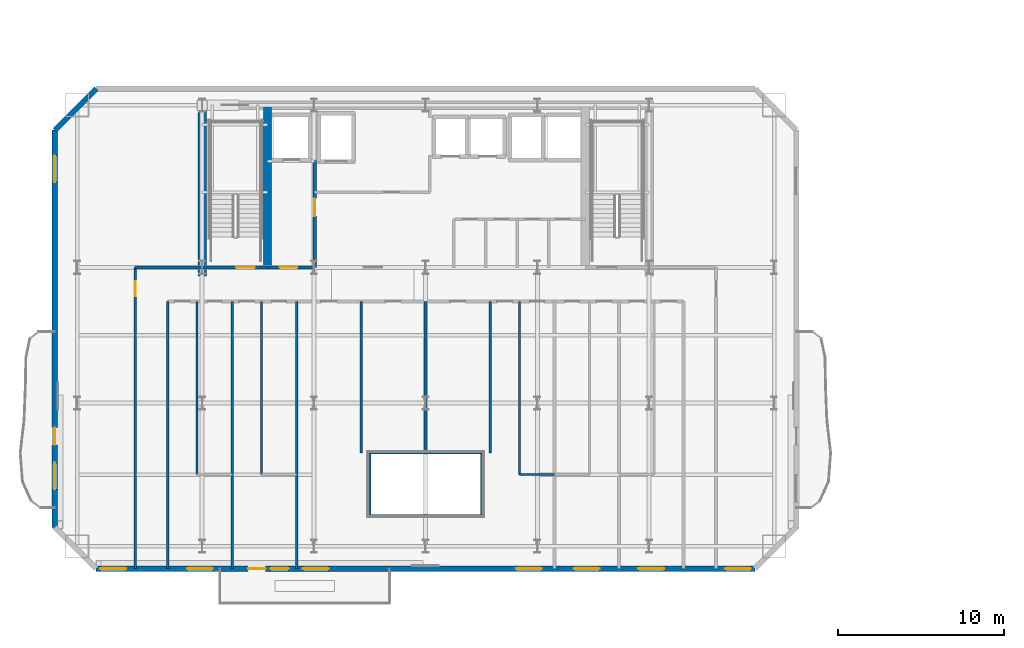
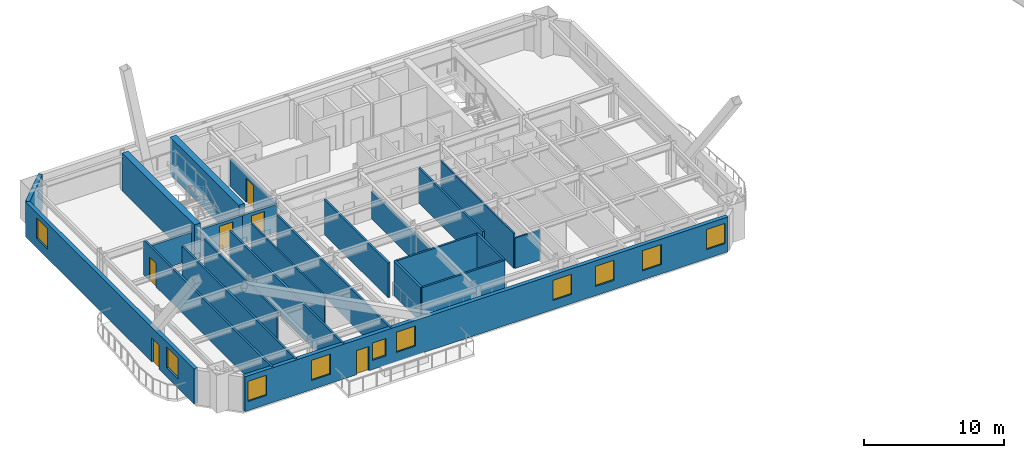
# One storey, part 5 of 14: 24 walls, 10 windows, 6 doors, 16 openings.
"""IFC4 building model written with IfcOpenShell, lengths in metres."""

from ifc_helpers import new_model, si_unit, direction, frame, frame_2d, origin, place, context, subcontext, project, spatial, rectangle, extrude, material, layer, layer_set, type_object, element, fill, save


model = new_model("IFC4")

# Units and contexts
model_context = context("Model", 3, precision=1e-05, world=origin(), true_north=direction((0.0, 1.0)))
body_context = subcontext(model_context, "Body", "Model", "MODEL_VIEW")
ifc_project = project(units=[si_unit("LENGTHUNIT", "METRE"), si_unit("AREAUNIT", "SQUARE_METRE"), si_unit("VOLUMEUNIT", "CUBIC_METRE"), si_unit("PLANEANGLEUNIT", "RADIAN"), si_unit("MASSUNIT", "GRAM", prefix="KILO")], contexts=[model_context])

# Site, building, storey
site_placement = place(None, origin())
site = spatial("IfcSite", under=ifc_project, at=site_placement, CompositionType="ELEMENT")
building_placement = place(site_placement, origin())
building = spatial("IfcBuilding", under=site, at=building_placement, Name="Haevon Station Towers", CompositionType="ELEMENT")
storey_placement = place(building_placement, frame((0.0, 0.0, 123.0)))
storey = spatial("IfcBuildingStorey", under=building, at=storey_placement, Name="L33", CompositionType="ELEMENT", Elevation=123.0)

# Walls
ifc_material_1 = material(Name="Gypsum board on steel stud", Category="steel")
ifc_layer_1 = layer(ifc_material_1, 0.179931640625)
ifc_layer_set_1 = layer_set([ifc_layer_1], Name="Gypsum board on steel stud")
wall_type_1 = type_object("IfcWallType", Name="WL-ACU180", PredefinedType="PARTITIONING", material=ifc_layer_set_1)
wall_1_placement = place(storey_placement, frame((19.949951171875, 38.199951171875, 0.0), z_axis=(0.0, 0.0, 1.0), x_axis=(1.0, 0.0, 0.0)))
element("IfcWall", 1, at=wall_1_placement, inside=storey, type_object=wall_type_1, Name="WL-T1PT-L33-03", PredefinedType="PARTITIONING", context=body_context, shape_type="SweptSolid", body=[
    extrude(rectangle(XDim=4.050048828125, YDim=0.179931640625, at=frame_2d((2.02490234375, 0.0))), origin(), (0.0, 0.0, 1.0), 2.3798828125),
])
wall_2_placement = place(storey_placement, frame((34.10009765625, 23.199951171875, 0.0), z_axis=(0.0, 0.0, 1.0), x_axis=(0.0, 1.0, 0.0)))
element("IfcWall", 2, at=wall_2_placement, inside=storey, type_object=wall_type_1, Name="WL-T1PT-L33-09", PredefinedType="PARTITIONING", context=body_context, shape_type="SweptSolid", body=[
    extrude(rectangle(XDim=3.800048828125, YDim=0.179931640625, at=frame_2d((1.89990234375, 0.0))), origin(), (0.0, 0.0, 1.0), 3.030029296875),
])
wall_3_placement = place(storey_placement, frame((37.5, 27.0, 0.0), z_axis=(0.0, 0.0, 1.0), x_axis=(0.0, 1.0, 0.0)))
element("IfcWall", 3, at=wall_3_placement, inside=storey, type_object=wall_type_1, Name="WL-T1PT-L33-18", PredefinedType="PARTITIONING", context=body_context, shape_type="SweptSolid", body=[
    extrude(rectangle(XDim=9.14990234375, YDim=0.179931640625, at=frame_2d((4.574951171875, 0.0))), origin(), (0.0, 0.0, 1.0), 2.3798828125),
])

# Wall, opening, door
ifc_layer_2 = layer(ifc_material_1, 0.199951171875)
ifc_layer_set_2 = layer_set([ifc_layer_2], Name="Gypsum board on steel stud")
wall_type_2 = type_object("IfcWallType", Name="WL-COR200", PredefinedType="PARTITIONING", material=ifc_layer_set_2)
wall_4_placement = place(storey_placement, frame((24.0, 38.199951171875, 0.0), z_axis=(0.0, 0.0, 1.0), x_axis=(1.0, 0.0, 0.0)))
wall_4 = element("IfcWall", 4, at=wall_4_placement, inside=storey, type_object=wall_type_2, Name="WL-ST-ST1-L33", PredefinedType="PARTITIONING", context=body_context, shape_type="SweptSolid", body=[
    extrude(rectangle(XDim=3.949951171875, YDim=0.199951171875, at=frame_2d((1.97509765625, 0.0))), origin(), (0.0, 0.0, 1.0), 2.3798828125),
])
opening_1_placement = place(wall_4_placement, frame((2.050048828125, 0.0, 0.0)))
opening_1 = element("IfcOpeningElement", 5, at=opening_1_placement, cuts=wall_4, Name="Opening DR-ST-ST1-L33", PredefinedType="OPENING", context=body_context, shape_type="SweptSolid", body=[
    extrude(rectangle(XDim=1.1201171875, YDim=2.10009765625, at=frame_2d((0.56005859375, 1.050048828125))), frame((0.0, 0.10986328125, 0.0), z_axis=(0.0, -1.0, 0.0), x_axis=(1.0, 0.0, 0.0)), (0.0, 0.0, 1.0), 0.219970703125),
])
ifc_material_2 = material(Name="Engineered oak timber", Category="wood")
door_type_1 = type_object("IfcDoorType", Name="DR-ST-1120", OperationType="NOTDEFINED", PredefinedType="DOOR", material=ifc_material_2)
door_1_placement = place(opening_1_placement, origin())
door_1 = element("IfcDoor", 6, at=door_1_placement, inside=storey, type_object=door_type_1, Name="L33 Escape Stair ST1 Fire Door", OperationType="SINGLE_SWING_LEFT", OverallHeight=2.10009765625, OverallWidth=1.1201171875, PredefinedType="DOOR", context=body_context, shape_type="SweptSolid", body=[
    extrude(rectangle(XDim=1.1201171875, YDim=2.10009765625, at=frame_2d((0.56005859375, 1.050048828125))), frame((0.0, 0.02490234375, 0.0), z_axis=(0.0, -1.0, 0.0), x_axis=(1.0, 0.0, 0.0)), (0.0, 0.0, 1.0), 0.050048828125),
])
fill(opening_1, door_1)

wall_5_placement = place(storey_placement, frame((30.800048828125, 38.199951171875, 0.0), z_axis=(0.0, 0.0, 1.0), x_axis=(0.0, 1.0, 0.0)))
wall_5 = element("IfcWall", 7, at=wall_5_placement, inside=storey, type_object=wall_type_2, Name="WL-T1FFL-L33-E", PredefinedType="PARTITIONING", context=body_context, shape_type="SweptSolid", body=[
    extrude(rectangle(XDim=6.449951171875, YDim=0.199951171875, at=frame_2d((3.22509765625, 0.0))), origin(), (0.0, 0.0, 1.0), 2.3798828125),
])
opening_2_placement = place(wall_5_placement, frame((3.10009765625, 0.0, 0.0)))
opening_2 = element("IfcOpeningElement", 8, at=opening_2_placement, cuts=wall_5, Name="Opening DR-T1FFL-L33-E", PredefinedType="OPENING", context=body_context, shape_type="SweptSolid", body=[
    extrude(rectangle(XDim=1.050048828125, YDim=2.10009765625, at=frame_2d((0.52490234375, 1.050048828125))), frame((0.0, 0.10986328125, 0.0), z_axis=(0.0, -1.0, 0.0), x_axis=(1.0, 0.0, 0.0)), (0.0, 0.0, 1.0), 0.219970703125),
])
door_type_2 = type_object("IfcDoorType", Name="DR-FD60-1050", OperationType="NOTDEFINED", PredefinedType="DOOR", material=ifc_material_2)
door_2_placement = place(opening_2_placement, origin())
door_2 = element("IfcDoor", 9, at=door_2_placement, inside=storey, type_object=door_type_2, Name="L33 Tower 1 Firefighting Lift Lobby Door E", OperationType="SINGLE_SWING_LEFT", OverallHeight=2.10009765625, OverallWidth=1.050048828125, PredefinedType="DOOR", context=body_context, shape_type="SweptSolid", body=[
    extrude(rectangle(XDim=1.050048828125, YDim=2.10009765625, at=frame_2d((0.52490234375, 1.050048828125))), frame((0.0, 0.02490234375, 0.0), z_axis=(0.0, -1.0, 0.0), x_axis=(1.0, 0.0, 0.0)), (0.0, 0.0, 1.0), 0.050048828125),
])
fill(opening_2, door_2)

wall_6_placement = place(storey_placement, frame((27.949951171875, 38.199951171875, 0.0), z_axis=(0.0, 0.0, 1.0), x_axis=(1.0, 0.0, 0.0)))
wall_6 = element("IfcWall", 10, at=wall_6_placement, inside=storey, type_object=wall_type_2, Name="WL-T1FFL-L33-S", PredefinedType="PARTITIONING", context=body_context, shape_type="SweptSolid", body=[
    extrude(rectangle(XDim=2.85009765625, YDim=0.199951171875, at=frame_2d((1.425048828125, 0.0))), origin(), (0.0, 0.0, 1.0), 2.3798828125),
])
opening_3_placement = place(wall_6_placement, frame((0.75, 0.0, 0.0)))
opening_3 = element("IfcOpeningElement", 11, at=opening_3_placement, cuts=wall_6, Name="Opening DR-T1FFL-L33-S", PredefinedType="OPENING", context=body_context, shape_type="SweptSolid", body=[
    extrude(rectangle(XDim=1.050048828125, YDim=2.10009765625, at=frame_2d((0.52490234375, 1.050048828125))), frame((0.0, 0.10986328125, 0.0), z_axis=(0.0, -1.0, 0.0), x_axis=(1.0, 0.0, 0.0)), (0.0, 0.0, 1.0), 0.219970703125),
])
door_3_placement = place(opening_3_placement, origin())
door_3 = element("IfcDoor", 12, at=door_3_placement, inside=storey, type_object=door_type_2, Name="L33 Tower 1 Firefighting Lift Lobby Door S", OperationType="SINGLE_SWING_RIGHT", OverallHeight=2.10009765625, OverallWidth=1.050048828125, PredefinedType="DOOR", context=body_context, shape_type="SweptSolid", body=[
    extrude(rectangle(XDim=1.050048828125, YDim=2.10009765625, at=frame_2d((0.52490234375, 1.050048828125))), frame((0.0, 0.02490234375, 0.0), z_axis=(0.0, -1.0, 0.0), x_axis=(1.0, 0.0, 0.0)), (0.0, 0.0, 1.0), 0.050048828125),
])
fill(opening_3, door_3)

# Walls
ifc_material_3 = material(Name="Concrete C60/75", Category="concrete")
ifc_layer_3 = layer(ifc_material_3, 0.5)
ifc_layer_set_3 = layer_set([ifc_layer_3], Name="Concrete C60/75")
wall_type_3 = type_object("IfcWallType", Name="WL-CR500", PredefinedType="SHEAR", material=ifc_layer_set_3)
wall_7_placement = place(storey_placement, frame((24.0, 37.679931640625, 0.0), z_axis=(0.0, 0.0, 1.0), x_axis=(0.0, 1.0, 0.0)))
element("IfcWall", 13, at=wall_7_placement, inside=storey, type_object=wall_type_3, Name="WL-T1CR-L33-W", PredefinedType="SHEAR", context=body_context, shape_type="SweptSolid", body=[
    extrude(rectangle(XDim=10.320068359375, YDim=0.5, at=frame_2d((5.16015625, 0.0))), origin(), (0.0, 0.0, 1.0), 3.300048828125),
])
wall_8_placement = place(storey_placement, frame((27.949951171875, 38.199951171875, 0.0), z_axis=(0.0, 0.0, 1.0), x_axis=(0.0, 1.0, 0.0)))
element("IfcWall", 14, at=wall_8_placement, inside=storey, type_object=wall_type_3, Name="WL-T1CR-L33-M1", PredefinedType="SHEAR", context=body_context, shape_type="SweptSolid", body=[
    extrude(rectangle(XDim=9.800048828125, YDim=0.5, at=frame_2d((4.89990234375, 0.0))), origin(), (0.0, 0.0, 1.0), 3.300048828125),
])

# Wall, openings, door, windows
ifc_material_4 = material(Name="Precast concrete C45/55", Category="concrete")
ifc_layer_4 = layer(ifc_material_4, 0.320068359375)
ifc_layer_set_4 = layer_set([ifc_layer_4], Name="Precast concrete C45/55")
wall_type_4 = type_object("IfcWallType", Name="WL-EXT-PIER320", PredefinedType="SOLIDWALL", material=ifc_layer_set_4)
wall_9_placement = place(storey_placement, frame((57.39990234375, 20.0, 0.0), z_axis=(0.0, 0.0, 1.0), x_axis=(-1.0, 0.0, 0.0)))
wall_9 = element("IfcWall", 15, at=wall_9_placement, inside=storey, type_object=wall_type_4, Name="WL-T1-L33-S", PredefinedType="SOLIDWALL", context=body_context, shape_type="SweptSolid", body=[
    extrude(rectangle(XDim=39.7998046875, YDim=0.320068359375, at=frame_2d((19.89990234375, 0.0))), origin(), (0.0, 0.0, 1.0), 3.030029296875),
])
opening_4_placement = place(wall_9_placement, frame((29.57080078125, 0.0, 0.0)))
opening_4 = element("IfcOpeningElement", 16, at=opening_4_placement, cuts=wall_9, Name="Opening DR-T1-PBAND-L33-1", PredefinedType="OPENING", context=body_context, shape_type="SweptSolid", body=[
    extrude(rectangle(XDim=1.050048828125, YDim=2.10009765625, at=frame_2d((0.52490234375, 1.050048828125))), frame((0.0, 0.169921875, 0.0), z_axis=(0.0, -1.0, 0.0), x_axis=(1.0, 0.0, 0.0)), (0.0, 0.0, 1.0), 0.340087890625),
])
opening_5_placement = place(wall_9_placement, frame((38.0, 0.0, 0.800048828125)))
opening_5 = element("IfcOpeningElement", 17, at=opening_5_placement, cuts=wall_9, Name="Opening WN-P155", PredefinedType="OPENING", context=body_context, shape_type="SweptSolid", body=[
    extrude(rectangle(XDim=1.550048828125, YDim=1.75, at=frame_2d((0.77490234375, 0.875))), frame((0.0, 0.169921875, 0.0), z_axis=(0.0, -1.0, 0.0), x_axis=(1.0, 0.0, 0.0)), (0.0, 0.0, 1.0), 0.340087890625),
])
opening_6_placement = place(wall_9_placement, frame((0.25, 0.0, 0.800048828125)))
opening_6 = element("IfcOpeningElement", 18, at=opening_6_placement, cuts=wall_9, Name="Opening WN-P155", PredefinedType="OPENING", context=body_context, shape_type="SweptSolid", body=[
    extrude(rectangle(XDim=1.550048828125, YDim=1.75, at=frame_2d((0.77490234375, 0.875))), frame((0.0, 0.169921875, 0.0), z_axis=(0.0, -1.0, 0.0), x_axis=(1.0, 0.0, 0.0)), (0.0, 0.0, 1.0), 0.340087890625),
])
opening_7_placement = place(wall_9_placement, frame((32.757568359375, 0.0, 0.800048828125)))
opening_7 = element("IfcOpeningElement", 19, at=opening_7_placement, cuts=wall_9, Name="Opening WN-P155", PredefinedType="OPENING", context=body_context, shape_type="SweptSolid", body=[
    extrude(rectangle(XDim=1.550048828125, YDim=1.75, at=frame_2d((0.77490234375, 0.875))), frame((0.0, 0.169921875, 0.0), z_axis=(0.0, -1.0, 0.0), x_axis=(1.0, 0.0, 0.0)), (0.0, 0.0, 1.0), 0.340087890625),
])
opening_8_placement = place(wall_9_placement, frame((28.171630859375, 0.0, 0.800048828125)))
opening_8 = element("IfcOpeningElement", 20, at=opening_8_placement, cuts=wall_9, Name="Opening WN-COR110", PredefinedType="OPENING", context=body_context, shape_type="SweptSolid", body=[
    extrude(rectangle(XDim=1.10009765625, YDim=1.5, at=frame_2d((0.550048828125, 0.75))), frame((0.0, 0.169921875, 0.0), z_axis=(0.0, -1.0, 0.0), x_axis=(1.0, 0.0, 0.0)), (0.0, 0.0, 1.0), 0.340087890625),
])
opening_9_placement = place(wall_9_placement, frame((25.760009765625, 0.0, 0.800048828125)))
opening_9 = element("IfcOpeningElement", 21, at=opening_9_placement, cuts=wall_9, Name="Opening WN-P155", PredefinedType="OPENING", context=body_context, shape_type="SweptSolid", body=[
    extrude(rectangle(XDim=1.550048828125, YDim=1.75, at=frame_2d((0.77490234375, 0.875))), frame((0.0, 0.169921875, 0.0), z_axis=(0.0, -1.0, 0.0), x_axis=(1.0, 0.0, 0.0)), (0.0, 0.0, 1.0), 0.340087890625),
])
opening_10_placement = place(wall_9_placement, frame((12.88623046875, 0.0, 0.800048828125)))
opening_10 = element("IfcOpeningElement", 22, at=opening_10_placement, cuts=wall_9, Name="Opening WN-P155", PredefinedType="OPENING", context=body_context, shape_type="SweptSolid", body=[
    extrude(rectangle(XDim=1.550048828125, YDim=1.75, at=frame_2d((0.77490234375, 0.875))), frame((0.0, 0.169921875, 0.0), z_axis=(0.0, -1.0, 0.0), x_axis=(1.0, 0.0, 0.0)), (0.0, 0.0, 1.0), 0.340087890625),
])
opening_11_placement = place(wall_9_placement, frame((9.387451171875, 0.0, 0.800048828125)))
opening_11 = element("IfcOpeningElement", 23, at=opening_11_placement, cuts=wall_9, Name="Opening WN-P155", PredefinedType="OPENING", context=body_context, shape_type="SweptSolid", body=[
    extrude(rectangle(XDim=1.550048828125, YDim=1.75, at=frame_2d((0.77490234375, 0.875))), frame((0.0, 0.169921875, 0.0), z_axis=(0.0, -1.0, 0.0), x_axis=(1.0, 0.0, 0.0)), (0.0, 0.0, 1.0), 0.340087890625),
])
opening_12_placement = place(wall_9_placement, frame((5.492431640625, 0.0, 0.800048828125)))
opening_12 = element("IfcOpeningElement", 24, at=opening_12_placement, cuts=wall_9, Name="Opening WN-P155", PredefinedType="OPENING", context=body_context, shape_type="SweptSolid", body=[
    extrude(rectangle(XDim=1.550048828125, YDim=1.75, at=frame_2d((0.77490234375, 0.875))), frame((0.0, 0.169921875, 0.0), z_axis=(0.0, -1.0, 0.0), x_axis=(1.0, 0.0, 0.0)), (0.0, 0.0, 1.0), 0.340087890625),
])
ifc_material_5 = material(Name="Thermally broken anodised aluminium and laminated safety glass", Category="aluminium")
door_type_3 = type_object("IfcDoorType", Name="DR-BALC-1050", OperationType="NOTDEFINED", PredefinedType="DOOR", material=ifc_material_5)
door_4_placement = place(opening_4_placement, origin())
door_4 = element("IfcDoor", 25, at=door_4_placement, inside=storey, type_object=door_type_3, Name="Tower 1 L33 Balcony Terrace Door", OperationType="SINGLE_SWING_LEFT", OverallHeight=2.10009765625, OverallWidth=1.050048828125, PredefinedType="DOOR", context=body_context, shape_type="SweptSolid", body=[
    extrude(rectangle(XDim=1.050048828125, YDim=2.10009765625, at=frame_2d((0.52490234375, 1.050048828125))), frame((0.0, 0.02490234375, 0.0), z_axis=(0.0, -1.0, 0.0), x_axis=(1.0, 0.0, 0.0)), (0.0, 0.0, 1.0), 0.050048828125),
])
fill(opening_4, door_4)
ifc_material_6 = material(Name="Low-E triple glazing in thermally broken aluminium", Category="aluminium")
window_type_1 = type_object("IfcWindowType", Name="WN-COR110", PartitioningType="SINGLE_PANEL", PredefinedType="WINDOW", material=ifc_material_6)
window_1_placement = place(opening_8_placement, origin())
window_1 = element("IfcWindow", 26, at=window_1_placement, inside=storey, type_object=window_type_1, Name="WN-T1-L33-S04", OverallHeight=1.5, OverallWidth=1.10009765625, PartitioningType="SINGLE_PANEL", PredefinedType="WINDOW", context=body_context, shape_type="SweptSolid", body=[
    extrude(rectangle(XDim=1.10009765625, YDim=1.5, at=frame_2d((0.550048828125, 0.75))), frame((0.0, 0.030029296875, 0.0), z_axis=(0.0, -1.0, 0.0), x_axis=(1.0, 0.0, 0.0)), (0.0, 0.0, 1.0), 0.06005859375),
])
fill(opening_8, window_1)
window_type_2 = type_object("IfcWindowType", Name="WN-P155", PartitioningType="SINGLE_PANEL", PredefinedType="WINDOW", material=ifc_material_6)
window_2_placement = place(opening_5_placement, origin())
window_2 = element("IfcWindow", 27, at=window_2_placement, inside=storey, type_object=window_type_2, Name="WN-T1-L33-S01", OverallHeight=1.75, OverallWidth=1.550048828125, PartitioningType="SINGLE_PANEL", PredefinedType="WINDOW", context=body_context, shape_type="SweptSolid", body=[
    extrude(rectangle(XDim=1.550048828125, YDim=1.75, at=frame_2d((0.77490234375, 0.875))), frame((0.0, 0.030029296875, 0.0), z_axis=(0.0, -1.0, 0.0), x_axis=(1.0, 0.0, 0.0)), (0.0, 0.0, 1.0), 0.06005859375),
])
fill(opening_5, window_2)
window_3_placement = place(opening_6_placement, origin())
window_3 = element("IfcWindow", 28, at=window_3_placement, inside=storey, type_object=window_type_2, Name="WN-T1-L33-S02", OverallHeight=1.75, OverallWidth=1.550048828125, PartitioningType="SINGLE_PANEL", PredefinedType="WINDOW", context=body_context, shape_type="SweptSolid", body=[
    extrude(rectangle(XDim=1.550048828125, YDim=1.75, at=frame_2d((0.77490234375, 0.875))), frame((0.0, 0.030029296875, 0.0), z_axis=(0.0, -1.0, 0.0), x_axis=(1.0, 0.0, 0.0)), (0.0, 0.0, 1.0), 0.06005859375),
])
fill(opening_6, window_3)
window_4_placement = place(opening_7_placement, origin())
window_4 = element("IfcWindow", 29, at=window_4_placement, inside=storey, type_object=window_type_2, Name="WN-T1-L33-S03", OverallHeight=1.75, OverallWidth=1.550048828125, PartitioningType="SINGLE_PANEL", PredefinedType="WINDOW", context=body_context, shape_type="SweptSolid", body=[
    extrude(rectangle(XDim=1.550048828125, YDim=1.75, at=frame_2d((0.77490234375, 0.875))), frame((0.0, 0.030029296875, 0.0), z_axis=(0.0, -1.0, 0.0), x_axis=(1.0, 0.0, 0.0)), (0.0, 0.0, 1.0), 0.06005859375),
])
fill(opening_7, window_4)
window_5_placement = place(opening_9_placement, origin())
window_5 = element("IfcWindow", 30, at=window_5_placement, inside=storey, type_object=window_type_2, Name="WN-T1-L33-S05", OverallHeight=1.75, OverallWidth=1.550048828125, PartitioningType="SINGLE_PANEL", PredefinedType="WINDOW", context=body_context, shape_type="SweptSolid", body=[
    extrude(rectangle(XDim=1.550048828125, YDim=1.75, at=frame_2d((0.77490234375, 0.875))), frame((0.0, 0.030029296875, 0.0), z_axis=(0.0, -1.0, 0.0), x_axis=(1.0, 0.0, 0.0)), (0.0, 0.0, 1.0), 0.06005859375),
])
fill(opening_9, window_5)
window_6_placement = place(opening_10_placement, origin())
window_6 = element("IfcWindow", 31, at=window_6_placement, inside=storey, type_object=window_type_2, Name="WN-T1-L33-S06", OverallHeight=1.75, OverallWidth=1.550048828125, PartitioningType="SINGLE_PANEL", PredefinedType="WINDOW", context=body_context, shape_type="SweptSolid", body=[
    extrude(rectangle(XDim=1.550048828125, YDim=1.75, at=frame_2d((0.77490234375, 0.875))), frame((0.0, 0.030029296875, 0.0), z_axis=(0.0, -1.0, 0.0), x_axis=(1.0, 0.0, 0.0)), (0.0, 0.0, 1.0), 0.06005859375),
])
fill(opening_10, window_6)
window_7_placement = place(opening_11_placement, origin())
window_7 = element("IfcWindow", 32, at=window_7_placement, inside=storey, type_object=window_type_2, Name="WN-T1-L33-S07", OverallHeight=1.75, OverallWidth=1.550048828125, PartitioningType="SINGLE_PANEL", PredefinedType="WINDOW", context=body_context, shape_type="SweptSolid", body=[
    extrude(rectangle(XDim=1.550048828125, YDim=1.75, at=frame_2d((0.77490234375, 0.875))), frame((0.0, 0.030029296875, 0.0), z_axis=(0.0, -1.0, 0.0), x_axis=(1.0, 0.0, 0.0)), (0.0, 0.0, 1.0), 0.06005859375),
])
fill(opening_11, window_7)
window_8_placement = place(opening_12_placement, origin())
window_8 = element("IfcWindow", 33, at=window_8_placement, inside=storey, type_object=window_type_2, Name="WN-T1-L33-S08", OverallHeight=1.75, OverallWidth=1.550048828125, PartitioningType="SINGLE_PANEL", PredefinedType="WINDOW", context=body_context, shape_type="SweptSolid", body=[
    extrude(rectangle(XDim=1.550048828125, YDim=1.75, at=frame_2d((0.77490234375, 0.875))), frame((0.0, 0.030029296875, 0.0), z_axis=(0.0, -1.0, 0.0), x_axis=(1.0, 0.0, 0.0)), (0.0, 0.0, 1.0), 0.06005859375),
])
fill(opening_12, window_8)

wall_10_placement = place(storey_placement, frame((15.10009765625, 22.5, 0.0), z_axis=(0.0, 0.0, 1.0), x_axis=(0.0, 1.0, 0.0)))
wall_10 = element("IfcWall", 34, at=wall_10_placement, inside=storey, type_object=wall_type_4, Name="WL-T1-L33-W", PredefinedType="SOLIDWALL", context=body_context, shape_type="SweptSolid", body=[
    extrude(rectangle(XDim=24.0, YDim=0.320068359375, at=frame_2d((12.0, 0.0))), origin(), (0.0, 0.0, 1.0), 3.030029296875),
])
opening_13_placement = place(wall_10_placement, frame((4.97509765625, 0.0, 0.0)))
opening_13 = element("IfcOpeningElement", 35, at=opening_13_placement, cuts=wall_10, Name="Opening DR-T1-SCAL-L33-W", PredefinedType="OPENING", context=body_context, shape_type="SweptSolid", body=[
    extrude(rectangle(XDim=1.050048828125, YDim=2.10009765625, at=frame_2d((0.52490234375, 1.050048828125))), frame((0.0, 0.169921875, 0.0), z_axis=(0.0, -1.0, 0.0), x_axis=(1.0, 0.0, 0.0)), (0.0, 0.0, 1.0), 0.340087890625),
])
opening_14_placement = place(wall_10_placement, frame((2.28564453125, 0.0, 0.800048828125)))
opening_14 = element("IfcOpeningElement", 36, at=opening_14_placement, cuts=wall_10, Name="Opening WN-END160", PredefinedType="OPENING", context=body_context, shape_type="SweptSolid", body=[
    extrude(rectangle(XDim=1.60009765625, YDim=1.800048828125, at=frame_2d((0.800048828125, 0.89990234375))), frame((0.0, 0.169921875, 0.0), z_axis=(0.0, -1.0, 0.0), x_axis=(1.0, 0.0, 0.0)), (0.0, 0.0, 1.0), 0.340087890625),
])
opening_15_placement = place(wall_10_placement, frame((20.857177734375, 0.0, 0.800048828125)))
opening_15 = element("IfcOpeningElement", 37, at=opening_15_placement, cuts=wall_10, Name="Opening WN-END160", PredefinedType="OPENING", context=body_context, shape_type="SweptSolid", body=[
    extrude(rectangle(XDim=1.60009765625, YDim=1.800048828125, at=frame_2d((0.800048828125, 0.89990234375))), frame((0.0, 0.169921875, 0.0), z_axis=(0.0, -1.0, 0.0), x_axis=(1.0, 0.0, 0.0)), (0.0, 0.0, 1.0), 0.340087890625),
])
door_5_placement = place(opening_13_placement, origin())
door_5 = element("IfcDoor", 38, at=door_5_placement, inside=storey, type_object=door_type_3, Name="Tower 1 L33 West Scalloped Balcony Door", OperationType="SINGLE_SWING_RIGHT", OverallHeight=2.10009765625, OverallWidth=1.050048828125, PredefinedType="DOOR", context=body_context, shape_type="SweptSolid", body=[
    extrude(rectangle(XDim=1.050048828125, YDim=2.10009765625, at=frame_2d((0.52490234375, 1.050048828125))), frame((0.0, 0.02490234375, 0.0), z_axis=(0.0, -1.0, 0.0), x_axis=(1.0, 0.0, 0.0)), (0.0, 0.0, 1.0), 0.050048828125),
])
fill(opening_13, door_5)
window_type_3 = type_object("IfcWindowType", Name="WN-END160", PartitioningType="SINGLE_PANEL", PredefinedType="WINDOW", material=ifc_material_6)
window_9_placement = place(opening_14_placement, origin())
window_9 = element("IfcWindow", 39, at=window_9_placement, inside=storey, type_object=window_type_3, Name="WN-T1-L33-W01", OverallHeight=1.800048828125, OverallWidth=1.60009765625, PartitioningType="SINGLE_PANEL", PredefinedType="WINDOW", context=body_context, shape_type="SweptSolid", body=[
    extrude(rectangle(XDim=1.60009765625, YDim=1.800048828125, at=frame_2d((0.800048828125, 0.89990234375))), frame((0.0, 0.030029296875, 0.0), z_axis=(0.0, -1.0, 0.0), x_axis=(1.0, 0.0, 0.0)), (0.0, 0.0, 1.0), 0.06005859375),
])
fill(opening_14, window_9)
window_10_placement = place(opening_15_placement, origin())
window_10 = element("IfcWindow", 40, at=window_10_placement, inside=storey, type_object=window_type_3, Name="WN-T1-L33-W02", OverallHeight=1.800048828125, OverallWidth=1.60009765625, PartitioningType="SINGLE_PANEL", PredefinedType="WINDOW", context=body_context, shape_type="SweptSolid", body=[
    extrude(rectangle(XDim=1.60009765625, YDim=1.800048828125, at=frame_2d((0.800048828125, 0.89990234375))), frame((0.0, 0.030029296875, 0.0), z_axis=(0.0, -1.0, 0.0), x_axis=(1.0, 0.0, 0.0)), (0.0, 0.0, 1.0), 0.06005859375),
])
fill(opening_15, window_10)

# Walls
wall_11_placement = place(storey_placement, frame((15.10009765625, 46.5, 0.0), z_axis=(0.0, 0.0, 1.0), x_axis=(0.707106781187, 0.707106781187, 0.0)))
element("IfcWall", 41, at=wall_11_placement, inside=storey, type_object=wall_type_4, Name="WL-T1-L33-NWC", PredefinedType="SOLIDWALL", context=body_context, shape_type="SweptSolid", body=[
    extrude(rectangle(XDim=3.53564453125, YDim=0.320068359375, at=frame_2d((1.767822265625, 0.0))), origin(), (0.0, 0.0, 1.0), 3.030029296875),
])
ifc_layer_5 = layer(ifc_material_1, 0.125)
ifc_layer_set_5 = layer_set([ifc_layer_5], Name="Gypsum board on steel stud")
wall_type_5 = type_object("IfcWallType", Name="WL-PRT125", PredefinedType="PARTITIONING", material=ifc_layer_set_5)
for number, where, z_axis, x_axis, name in (
    (42, (23.699951171875, 25.697021484375, 0.0), (0.0, 0.0, 1.0), (0.0, 1.0, 0.0), "WL-T1PT-L33-12"),
    (43, (27.594970703125, 25.697021484375, 0.0), (0.0, 0.0, 1.0), (0.0, 1.0, 0.0), "WL-T1PT-L33-15"),
):
    element("IfcWall", number, at=place(storey_placement, frame(where, z_axis=z_axis, x_axis=x_axis)), inside=storey, type_object=wall_type_5, Name=name, PredefinedType="PARTITIONING", context=body_context, shape_type="SweptSolid", body=[
        extrude(rectangle(XDim=10.452880859375, YDim=0.125, at=frame_2d((5.2265625, 0.0))), origin(), (0.0, 0.0, 1.0), 3.030029296875),
    ])
wall_12_placement = place(storey_placement, frame((43.175048828125, 25.697021484375, 0.0), z_axis=(0.0, 0.0, 1.0), x_axis=(1.0, 0.0, 0.0)))
element("IfcWall", 44, at=wall_12_placement, inside=storey, type_object=wall_type_5, Name="WL-T1PT-L33-22", PredefinedType="PARTITIONING", context=body_context, shape_type="SweptSolid", body=[
    extrude(rectangle(XDim=2.114990234375, YDim=0.125, at=frame_2d((1.0576171875, 0.0))), origin(), (0.0, 0.0, 1.0), 2.6298828125),
])
wall_13_placement = place(storey_placement, frame((43.175048828125, 25.697021484375, 0.0), z_axis=(0.0, 0.0, 1.0), x_axis=(0.0, 1.0, 0.0)))
element("IfcWall", 45, at=wall_13_placement, inside=storey, type_object=wall_type_5, Name="WL-T1PT-L33-23", PredefinedType="PARTITIONING", context=body_context, shape_type="SweptSolid", body=[
    extrude(rectangle(XDim=10.452880859375, YDim=0.125, at=frame_2d((5.2265625, 0.0))), origin(), (0.0, 0.0, 1.0), 3.030029296875),
])
ifc_layer_6 = layer(ifc_material_1, 0.159912109375)
ifc_layer_set_6 = layer_set([ifc_layer_6], Name="Gypsum board on steel stud")
wall_type_6 = type_object("IfcWallType", Name="WL-PRT160", PredefinedType="PARTITIONING", material=ifc_layer_set_6)
wall_14_placement = place(storey_placement, frame((21.919921875, 20.0, 0.0), z_axis=(0.0, 0.0, 1.0), x_axis=(0.0, 1.0, 0.0)))
element("IfcWall", 46, at=wall_14_placement, inside=storey, type_object=wall_type_6, Name="WL-T1PT-L33-01", PredefinedType="PARTITIONING", context=body_context, shape_type="SweptSolid", body=[
    extrude(rectangle(XDim=16.14990234375, YDim=0.159912109375, at=frame_2d((8.074951171875, 0.0))), origin(), (0.0, 0.0, 1.0), 3.030029296875),
])

# Wall, opening, door
wall_15_placement = place(storey_placement, frame((19.949951171875, 20.0, 0.0), z_axis=(0.0, 0.0, 1.0), x_axis=(0.0, 1.0, 0.0)))
wall_15 = element("IfcWall", 47, at=wall_15_placement, inside=storey, type_object=wall_type_6, Name="WL-T1PT-L33-05", PredefinedType="PARTITIONING", context=body_context, shape_type="SweptSolid", body=[
    extrude(rectangle(XDim=18.199951171875, YDim=0.159912109375, at=frame_2d((9.10009765625, 0.0))), origin(), (0.0, 0.0, 1.0), 3.030029296875),
])
opening_16_placement = place(wall_15_placement, frame((16.469970703125, 0.0, 0.0)))
opening_16 = element("IfcOpeningElement", 48, at=opening_16_placement, cuts=wall_15, Name="Opening DR-WL-T1PT-L33-05-01", PredefinedType="OPENING", context=body_context, shape_type="SweptSolid", body=[
    extrude(rectangle(XDim=0.89990234375, YDim=2.050048828125, at=frame_2d((0.449951171875, 1.02490234375))), frame((0.0, 0.08984375, 0.0), z_axis=(0.0, -1.0, 0.0), x_axis=(1.0, 0.0, 0.0)), (0.0, 0.0, 1.0), 0.179931640625),
])
door_type_4 = type_object("IfcDoorType", Name="DR-INT-900", OperationType="NOTDEFINED", PredefinedType="DOOR", material=ifc_material_2)
door_6_placement = place(opening_16_placement, origin())
door_6 = element("IfcDoor", 49, at=door_6_placement, inside=storey, type_object=door_type_4, Name="L33 Tower 1 Room Door 5-1", OperationType="SINGLE_SWING_RIGHT", OverallHeight=2.050048828125, OverallWidth=0.89990234375, PredefinedType="DOOR", context=body_context, shape_type="SweptSolid", body=[
    extrude(rectangle(XDim=0.89990234375, YDim=2.050048828125, at=frame_2d((0.449951171875, 1.02490234375))), frame((0.0, 0.02490234375, 0.0), z_axis=(0.0, -1.0, 0.0), x_axis=(1.0, 0.0, 0.0)), (0.0, 0.0, 1.0), 0.050048828125),
])
fill(opening_16, door_6)

# Walls
for number, where, z_axis, x_axis, name in (
    (50, (34.10009765625, 23.199951171875, 0.0), (0.0, 0.0, 1.0), (1.0, 0.0, 0.0), "WL-T1PT-L33-07"),
    (51, (34.10009765625, 27.0, 0.0), (0.0, 0.0, 1.0), (1.0, 0.0, 0.0), "WL-T1PT-L33-08"),
):
    element("IfcWall", number, at=place(storey_placement, frame(where, z_axis=z_axis, x_axis=x_axis)), inside=storey, type_object=wall_type_6, Name=name, PredefinedType="PARTITIONING", context=body_context, shape_type="SweptSolid", body=[
        extrude(rectangle(XDim=6.7998046875, YDim=0.159912109375, at=frame_2d((3.39990234375, 0.0))), origin(), (0.0, 0.0, 1.0), 3.030029296875),
    ])
wall_16_placement = place(storey_placement, frame((40.89990234375, 23.199951171875, 0.0), z_axis=(0.0, 0.0, 1.0), x_axis=(0.0, 1.0, 0.0)))
element("IfcWall", 52, at=wall_16_placement, inside=storey, type_object=wall_type_6, Name="WL-T1PT-L33-10", PredefinedType="PARTITIONING", context=body_context, shape_type="SweptSolid", body=[
    extrude(rectangle(XDim=3.800048828125, YDim=0.159912109375, at=frame_2d((1.89990234375, 0.0))), origin(), (0.0, 0.0, 1.0), 3.030029296875),
])
for number, where, z_axis, x_axis, name in (
    (53, (25.81494140625, 20.0, 0.0), (0.0, 0.0, 1.0), (0.0, 1.0, 0.0), "WL-T1PT-L33-13"),
    (54, (29.7099609375, 20.0, 0.0), (0.0, 0.0, 1.0), (0.0, 1.0, 0.0), "WL-T1PT-L33-16"),
):
    element("IfcWall", number, at=place(storey_placement, frame(where, z_axis=z_axis, x_axis=x_axis)), inside=storey, type_object=wall_type_6, Name=name, PredefinedType="PARTITIONING", context=body_context, shape_type="SweptSolid", body=[
        extrude(rectangle(XDim=16.14990234375, YDim=0.159912109375, at=frame_2d((8.074951171875, 0.0))), origin(), (0.0, 0.0, 1.0), 3.030029296875),
    ])
for number, where, z_axis, x_axis, name in (
    (55, (33.60498046875, 27.0, 0.0), (0.0, 0.0, 1.0), (0.0, 1.0, 0.0), "WL-T1PT-L33-17"),
    (56, (41.39501953125, 27.0, 0.0), (0.0, 0.0, 1.0), (0.0, 1.0, 0.0), "WL-T1PT-L33-20"),
):
    element("IfcWall", number, at=place(storey_placement, frame(where, z_axis=z_axis, x_axis=x_axis)), inside=storey, type_object=wall_type_6, Name=name, PredefinedType="PARTITIONING", context=body_context, shape_type="SweptSolid", body=[
        extrude(rectangle(XDim=9.14990234375, YDim=0.159912109375, at=frame_2d((4.574951171875, 0.0))), origin(), (0.0, 0.0, 1.0), 3.030029296875),
    ])

save(model, "model.ifc")
